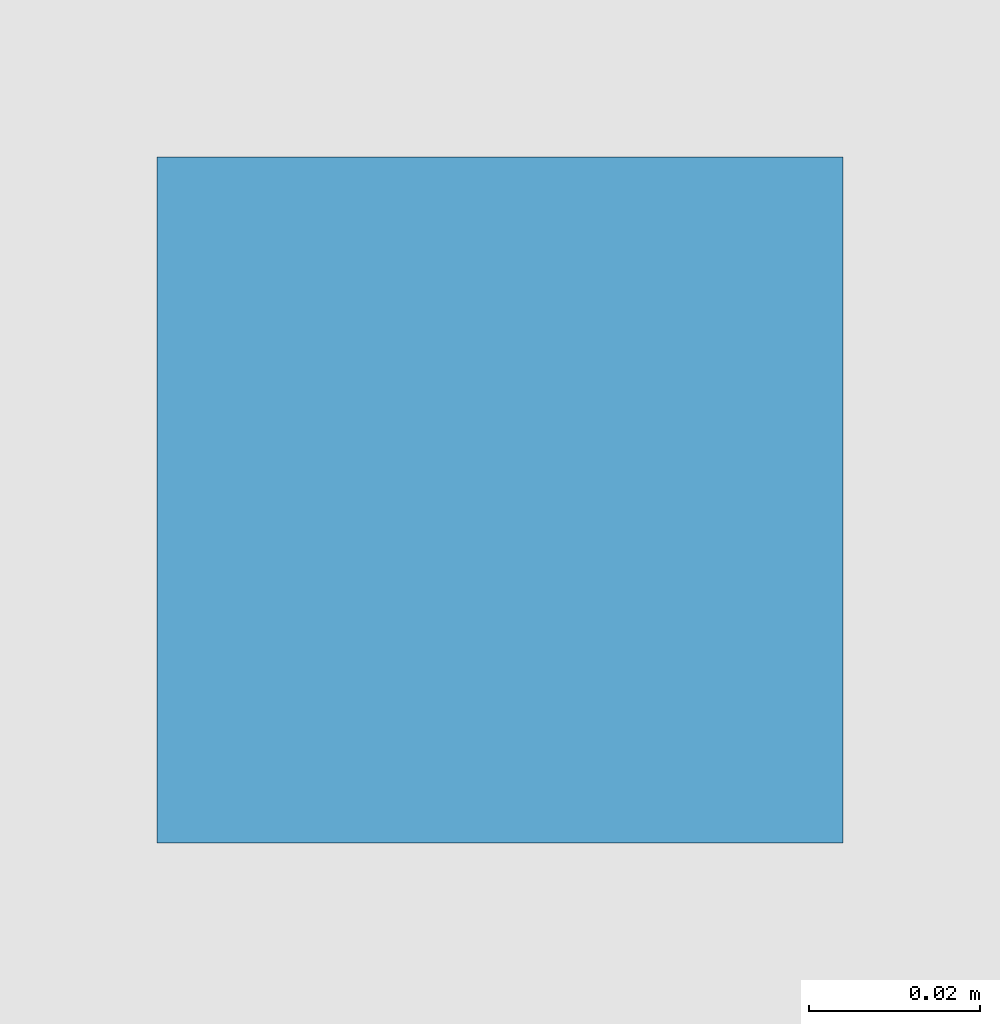
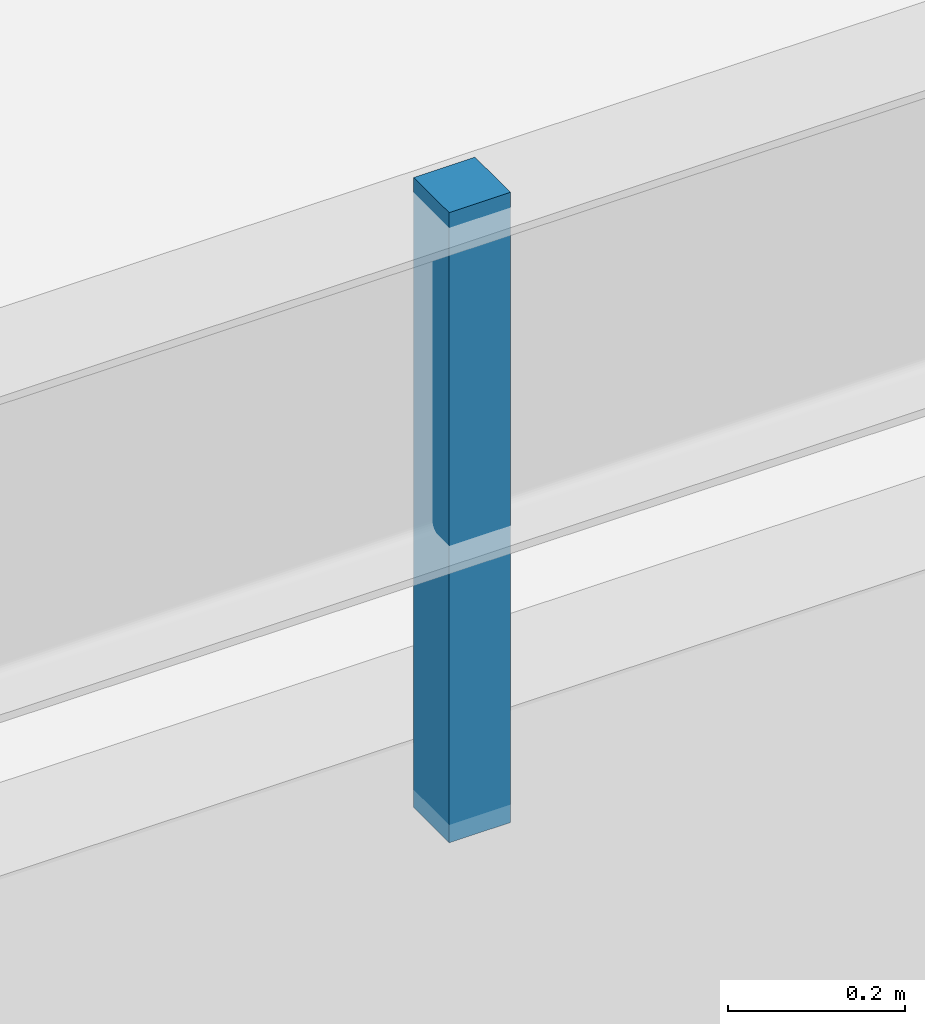
# One storey, part 101 of 117: 1 discrete accessory.
"""IFC4 building model written with IfcOpenShell, lengths in metres."""

import ifcopenshell
import ifcopenshell.guid

model = None  # the IFC model being written
_history = None  # IfcOwnerHistory: only IFC2X3 demands one
_inside = {}  # id of a spatial element -> (the spatial element, [elements in it])
_under = {}  # id of a project, library or spatial element -> (it, [spatial elements below it])
_declared = {}  # id of a project -> (the project, [libraries it declares])
_typed = {}  # id of a type object -> (the type object, [elements of that type])
_made_of = {}  # id of a material, layer set ... -> (it, [elements and type objects made of it])


def new_model(schema):
    """Start an empty IFC model of exactly this schema.

    Asked for "IFC4X3", IfcOpenShell would pick the latest addendum, in which some entities
    have other attributes; the version numbers below select the first issue.
    IFC2X3 requires an IfcOwnerHistory on every rooted entity: one is made here for all.
    """
    global model, _history
    if schema == "IFC4X3":
        model = ifcopenshell.file(schema_version=(4, 3, 0, 0))
    else:
        model = ifcopenshell.file(schema=schema)
    _inside.clear()
    _under.clear()
    _declared.clear()
    _typed.clear()
    _made_of.clear()
    _history = None
    if model.schema == "IFC2X3":
        org = make("IfcOrganization", Name="unknown")
        user = make(
            "IfcPersonAndOrganization",
            ThePerson=make("IfcPerson", FamilyName="unknown"),
            TheOrganization=org,
        )
        app = make(
            "IfcApplication",
            ApplicationDeveloper=org,
            Version="unknown",
            ApplicationFullName="unknown",
            ApplicationIdentifier="unknown",
        )
        _history = make(
            "IfcOwnerHistory",
            OwningUser=user,
            OwningApplication=app,
            ChangeAction="ADDED",
            CreationDate=0,
        )
    return model


def make(cls, **values):
    """One entity of the class cls with the attributes given. An attribute that is None is left unset."""
    return model.create_entity(
        cls, **{name: value for name, value in values.items() if value is not None}
    )


def rooted(cls, **values):
    """An entity with a GlobalId (a new one), such as an element, a storey or a relation."""
    return make(cls, GlobalId=ifcopenshell.guid.new(), OwnerHistory=_history, **values)


def si_unit(unit_type, name, prefix=None):
    """IfcSIUnit, for example si_unit("LENGTHUNIT", "METRE", prefix="MILLI")."""
    return make("IfcSIUnit", UnitType=unit_type, Prefix=prefix, Name=name)


def assignment(units):
    """IfcUnitAssignment: the units of a project."""
    return None if units is None else make("IfcUnitAssignment", Units=units)


def point(xyz):
    """IfcCartesianPoint."""
    return None if xyz is None else make("IfcCartesianPoint", Coordinates=xyz)


def direction(xyz):
    """IfcDirection."""
    return None if xyz is None else make("IfcDirection", DirectionRatios=xyz)


def frame(location, z_axis=None, x_axis=None):
    """IfcAxis2Placement3D, a coordinate frame: its origin and axes. An axis left out is left unset."""
    return make(
        "IfcAxis2Placement3D",
        Location=point(location),
        Axis=direction(z_axis),
        RefDirection=direction(x_axis),
    )


def frame_2d(location, x_axis=None):
    """IfcAxis2Placement2D, a coordinate frame in the plane: its origin and x axis."""
    return make(
        "IfcAxis2Placement2D", Location=point(location), RefDirection=direction(x_axis)
    )


def origin():
    """The frame at (0, 0, 0) with its axes left unset."""
    return frame((0.0, 0.0, 0.0))


def origin_2d():
    """The frame at (0, 0) in the plane with its x axis left unset."""
    return frame_2d((0.0, 0.0))


def place(relative_to, where):
    """IfcLocalPlacement: puts the frame where relative to a parent placement (None: the world)."""
    return make(
        "IfcLocalPlacement", PlacementRelTo=relative_to, RelativePlacement=where
    )


def context(
    kind, dimensions, precision=None, world=None, true_north=None, identifier=None
):
    """IfcGeometricRepresentationContext, for example the 3D "Model" context."""
    return make(
        "IfcGeometricRepresentationContext",
        ContextIdentifier=identifier,
        ContextType=kind,
        CoordinateSpaceDimension=dimensions,
        Precision=precision,
        WorldCoordinateSystem=world,
        TrueNorth=true_north,
    )


def subcontext(parent, identifier, kind, view, scale=None):
    """IfcGeometricRepresentationSubContext, for example "Body" below "Model"."""
    return make(
        "IfcGeometricRepresentationSubContext",
        ContextIdentifier=identifier,
        ContextType=kind,
        ParentContext=parent,
        TargetScale=scale,
        TargetView=view,
    )


def project(units=None, contexts=None):
    """IfcProject with its units and contexts."""
    return rooted(
        "IfcProject",
        Name="project",
        RepresentationContexts=contexts,
        UnitsInContext=assignment(units),
    )


def spatial(cls, under=None, at=None, **own):
    """A site, building, storey or space (cls), placed at a placement, below another one or the project."""
    s = rooted(cls, ObjectPlacement=at, **own)
    if under is not None:
        _under.setdefault(under.id(), (under, []))[1].append(s)
    return s


def profile(cls, at=None, kind="AREA", **sizes):
    """A parametric profile (cls). Its sizes go by their IFC names, for example OverallWidth=200.0."""
    return make(cls, ProfileType=kind, Position=at, **sizes)


def rectangle(**sizes):
    """IfcRectangleProfileDef."""
    return profile("IfcRectangleProfileDef", **sizes)


def extrude(swept, where, along, depth):
    """IfcExtrudedAreaSolid: the profile swept, set in the frame where, extruded along a direction by depth."""
    return make(
        "IfcExtrudedAreaSolid",
        SweptArea=swept,
        Position=where,
        ExtrudedDirection=direction(along),
        Depth=depth,
    )


def shape(context_of_items, identifier, shape_type, items):
    """IfcShapeRepresentation: the items that make up one representation, for example the "Body"."""
    return make(
        "IfcShapeRepresentation",
        ContextOfItems=context_of_items,
        RepresentationIdentifier=identifier,
        RepresentationType=shape_type,
        Items=items,
    )


def material(Name=None, Category=None):
    """IfcMaterial."""
    return make("IfcMaterial", Name=Name, Category=Category)


def made_of(thing, what):
    """Note that an element or type object is made of a material, layer set ...; save() writes the relation."""
    if what is not None:
        _made_of.setdefault(what.id(), (what, []))[1].append(thing)
    return thing


def type_object(cls, material=None, **own):
    """A type object (cls), such as IfcWallType, which elements share."""
    return made_of(rooted(cls, **own), material)


def element(
    cls,
    number,
    at=None,
    inside=None,
    cuts=None,
    type_object=None,
    material=None,
    context=None,
    identifier="Body",
    shape_type=None,
    held_by="IfcProductDefinitionShape",
    body=None,
    shapes=None,
    **own,
):
    """One element of the class cls, such as IfcWall. Its Tag is "e" and its number.

    at: its placement. inside: the storey or other place that contains it. cuts: it is an
    opening in that element (IfcRelVoidsElement). A single representation is given by context,
    identifier, shape_type and body (its items); several are given by shapes. held_by: the class
    of the entity that holds the representations. save() writes the other relations.
    """
    e = rooted(cls, Tag="e%d" % number, ObjectPlacement=at, **own)
    if body is not None:
        shapes = [shape(context, identifier, shape_type, body)]
    if shapes is not None:
        e.Representation = make(held_by, Representations=shapes)
    if inside is not None:
        _inside.setdefault(inside.id(), (inside, []))[1].append(e)
    if cuts is not None:
        rooted(
            "IfcRelVoidsElement", RelatingBuildingElement=cuts, RelatedOpeningElement=e
        )
    if type_object is not None:
        _typed.setdefault(type_object.id(), (type_object, []))[1].append(e)
    return made_of(e, material)


def aggregate(whole, parts):
    """IfcRelAggregates: a whole, such as a stair, and the parts it consists of."""
    return rooted("IfcRelAggregates", RelatingObject=whole, RelatedObjects=parts)


def save(model, path):
    """Write the relations noted so far, then the file.

    IfcRelAggregates (storeys below a building ...), IfcRelContainedInSpatialStructure (elements
    in a storey), IfcRelDefinesByType, IfcRelAssociatesMaterial and IfcRelDeclares: one each for
    every whole, place, type object, material and project.
    """
    for whole, parts in _under.values():
        aggregate(whole, parts)
    for where, things in _inside.values():
        rooted(
            "IfcRelContainedInSpatialStructure",
            RelatedElements=things,
            RelatingStructure=where,
        )
    for kind, things in _typed.values():
        rooted("IfcRelDefinesByType", RelatedObjects=things, RelatingType=kind)
    for what, things in _made_of.values():
        rooted("IfcRelAssociatesMaterial", RelatedObjects=things, RelatingMaterial=what)
    for by, libraries in _declared.values():
        rooted("IfcRelDeclares", RelatingContext=by, RelatedDefinitions=libraries)
    model.write(path)


model = new_model("IFC4")

# Units and contexts
model_context = context("Model", 3, precision=1e-05, world=origin(), true_north=direction((0.0, 1.0)))
body_context = subcontext(model_context, "Body", "Model", "MODEL_VIEW")
ifc_project = project(units=[si_unit("LENGTHUNIT", "METRE"), si_unit("AREAUNIT", "SQUARE_METRE"), si_unit("VOLUMEUNIT", "CUBIC_METRE"), si_unit("PLANEANGLEUNIT", "RADIAN"), si_unit("MASSUNIT", "GRAM", prefix="KILO")], contexts=[model_context])

# Site, building, storey
site_placement = place(None, origin())
site = spatial("IfcSite", under=ifc_project, at=site_placement, CompositionType="ELEMENT")
building_placement = place(site_placement, origin())
building = spatial("IfcBuilding", under=site, at=building_placement, Name="Solmirada Galleria", CompositionType="ELEMENT")
storey_placement = place(building_placement, frame((0.0, 0.0, 5.60009765625)))
storey = spatial("IfcBuildingStorey", under=building, at=storey_placement, Name="L01", CompositionType="ELEMENT", Elevation=5.60009765625)

# Discrete accessory
ifc_material = material(Name="Steel S355 / ASTM A992 Grade 50", Category="steel")
discrete_accessory_type = type_object("IfcDiscreteAccessoryType", Name="ACC-CEIL-HANGER", PredefinedType="BRACKET", material=ifc_material)
discrete_accessory_placement = place(storey_placement, frame((52.0, 100.0, 3.749755859375), z_axis=(0.0, 0.0, 1.0), x_axis=(1.0, 0.0, 0.0)))
element("IfcDiscreteAccessory", 1, at=discrete_accessory_placement, inside=storey, type_object=discrete_accessory_type, Name="Ceiling suspension hanger L01-1", PredefinedType="BRACKET", context=body_context, shape_type="SweptSolid", body=[
    extrude(rectangle(XDim=0.080078125, YDim=0.080078125, at=origin_2d()), origin(), (0.0, 0.0, 1.0), 0.8701171875),
])

save(model, "model.ifc")
